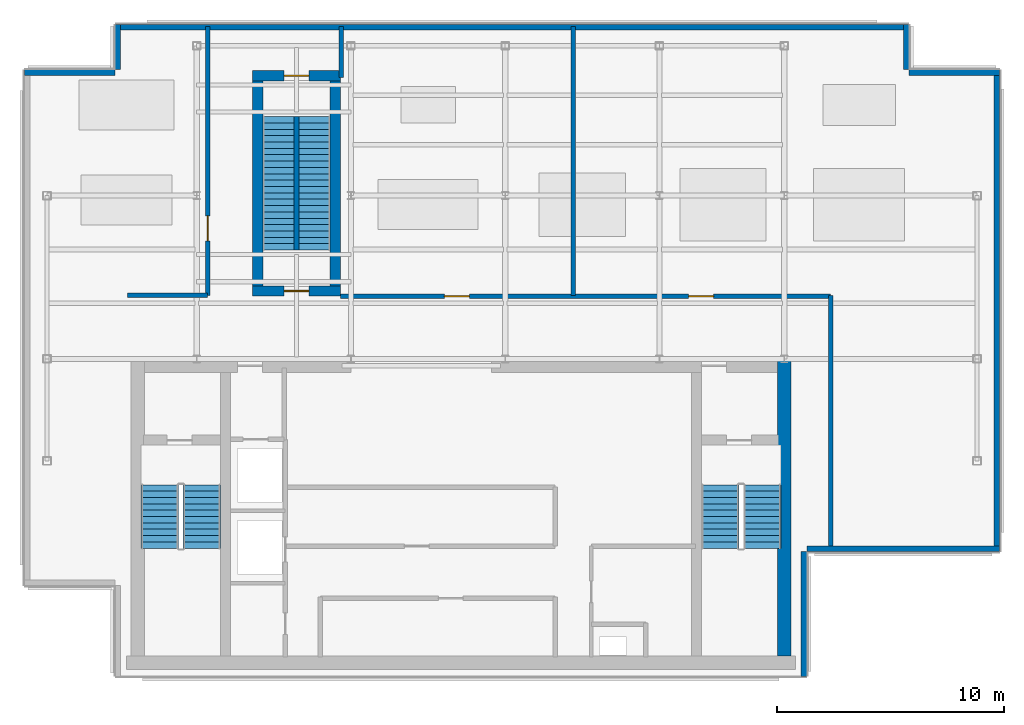
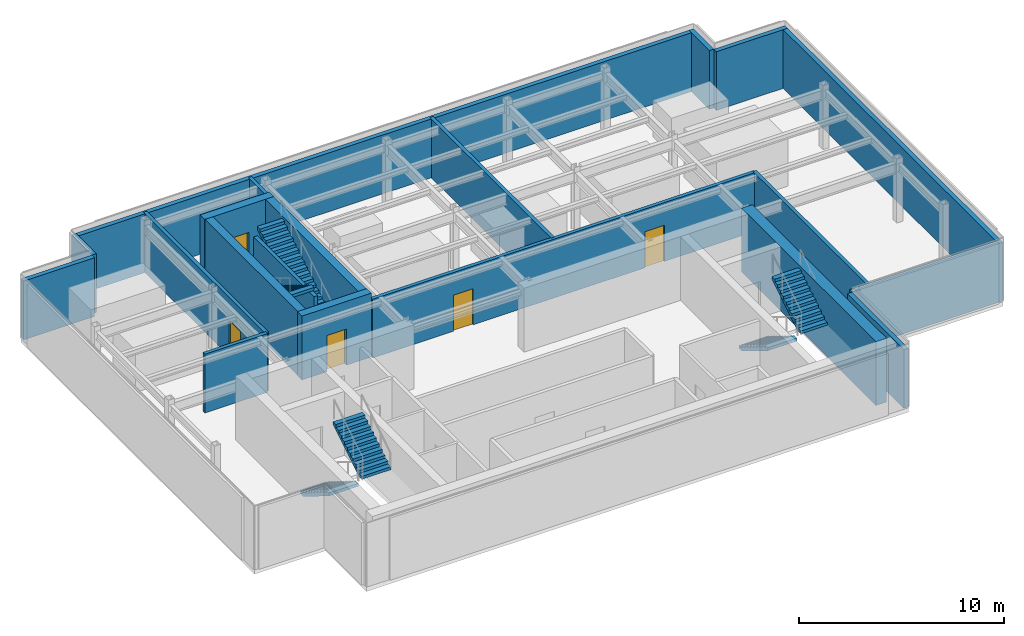
# One storey, part 3 of 7: 20 walls, 6 stair flights, 5 doors, 5 openings, 4 elements without a shape of their own.
"""IFC4 building model written with IfcOpenShell, lengths in metres."""

import ifcopenshell
import ifcopenshell.guid

model = None  # the IFC model being written
_history = None  # IfcOwnerHistory: only IFC2X3 demands one
_inside = {}  # id of a spatial element -> (the spatial element, [elements in it])
_under = {}  # id of a project, library or spatial element -> (it, [spatial elements below it])
_declared = {}  # id of a project -> (the project, [libraries it declares])
_typed = {}  # id of a type object -> (the type object, [elements of that type])
_made_of = {}  # id of a material, layer set ... -> (it, [elements and type objects made of it])


def new_model(schema):
    """Start an empty IFC model of exactly this schema.

    Asked for "IFC4X3", IfcOpenShell would pick the latest addendum, in which some entities
    have other attributes; the version numbers below select the first issue.
    IFC2X3 requires an IfcOwnerHistory on every rooted entity: one is made here for all.
    """
    global model, _history
    if schema == "IFC4X3":
        model = ifcopenshell.file(schema_version=(4, 3, 0, 0))
    else:
        model = ifcopenshell.file(schema=schema)
    _inside.clear()
    _under.clear()
    _declared.clear()
    _typed.clear()
    _made_of.clear()
    _history = None
    if model.schema == "IFC2X3":
        org = make("IfcOrganization", Name="unknown")
        user = make(
            "IfcPersonAndOrganization",
            ThePerson=make("IfcPerson", FamilyName="unknown"),
            TheOrganization=org,
        )
        app = make(
            "IfcApplication",
            ApplicationDeveloper=org,
            Version="unknown",
            ApplicationFullName="unknown",
            ApplicationIdentifier="unknown",
        )
        _history = make(
            "IfcOwnerHistory",
            OwningUser=user,
            OwningApplication=app,
            ChangeAction="ADDED",
            CreationDate=0,
        )
    return model


def make(cls, **values):
    """One entity of the class cls with the attributes given. An attribute that is None is left unset."""
    return model.create_entity(
        cls, **{name: value for name, value in values.items() if value is not None}
    )


def rooted(cls, **values):
    """An entity with a GlobalId (a new one), such as an element, a storey or a relation."""
    return make(cls, GlobalId=ifcopenshell.guid.new(), OwnerHistory=_history, **values)


def si_unit(unit_type, name, prefix=None):
    """IfcSIUnit, for example si_unit("LENGTHUNIT", "METRE", prefix="MILLI")."""
    return make("IfcSIUnit", UnitType=unit_type, Prefix=prefix, Name=name)


def derived_unit(unit_type, elements):
    """IfcDerivedUnit: a product of units, each with its exponent."""
    return make(
        "IfcDerivedUnit",
        Elements=[
            make("IfcDerivedUnitElement", Unit=unit, Exponent=power)
            for unit, power in elements
        ],
        UnitType=unit_type,
    )


def assignment(units):
    """IfcUnitAssignment: the units of a project."""
    return None if units is None else make("IfcUnitAssignment", Units=units)


def point(xyz):
    """IfcCartesianPoint."""
    return None if xyz is None else make("IfcCartesianPoint", Coordinates=xyz)


def direction(xyz):
    """IfcDirection."""
    return None if xyz is None else make("IfcDirection", DirectionRatios=xyz)


def frame(location, z_axis=None, x_axis=None):
    """IfcAxis2Placement3D, a coordinate frame: its origin and axes. An axis left out is left unset."""
    return make(
        "IfcAxis2Placement3D",
        Location=point(location),
        Axis=direction(z_axis),
        RefDirection=direction(x_axis),
    )


def frame_2d(location, x_axis=None):
    """IfcAxis2Placement2D, a coordinate frame in the plane: its origin and x axis."""
    return make(
        "IfcAxis2Placement2D", Location=point(location), RefDirection=direction(x_axis)
    )


def origin():
    """The frame at (0, 0, 0) with its axes left unset."""
    return frame((0.0, 0.0, 0.0))


def place(relative_to, where):
    """IfcLocalPlacement: puts the frame where relative to a parent placement (None: the world)."""
    return make(
        "IfcLocalPlacement", PlacementRelTo=relative_to, RelativePlacement=where
    )


def context(
    kind, dimensions, precision=None, world=None, true_north=None, identifier=None
):
    """IfcGeometricRepresentationContext, for example the 3D "Model" context."""
    return make(
        "IfcGeometricRepresentationContext",
        ContextIdentifier=identifier,
        ContextType=kind,
        CoordinateSpaceDimension=dimensions,
        Precision=precision,
        WorldCoordinateSystem=world,
        TrueNorth=true_north,
    )


def subcontext(parent, identifier, kind, view, scale=None):
    """IfcGeometricRepresentationSubContext, for example "Body" below "Model"."""
    return make(
        "IfcGeometricRepresentationSubContext",
        ContextIdentifier=identifier,
        ContextType=kind,
        ParentContext=parent,
        TargetScale=scale,
        TargetView=view,
    )


def project(units=None, contexts=None):
    """IfcProject with its units and contexts."""
    return rooted(
        "IfcProject",
        Name="project",
        RepresentationContexts=contexts,
        UnitsInContext=assignment(units),
    )


def spatial(cls, under=None, at=None, **own):
    """A site, building, storey or space (cls), placed at a placement, below another one or the project."""
    s = rooted(cls, ObjectPlacement=at, **own)
    if under is not None:
        _under.setdefault(under.id(), (under, []))[1].append(s)
    return s


def polyline(points):
    """IfcPolyline through the points."""
    return make("IfcPolyline", Points=[point(p) for p in points])


def profile(cls, at=None, kind="AREA", **sizes):
    """A parametric profile (cls). Its sizes go by their IFC names, for example OverallWidth=200.0."""
    return make(cls, ProfileType=kind, Position=at, **sizes)


def rectangle(**sizes):
    """IfcRectangleProfileDef."""
    return profile("IfcRectangleProfileDef", **sizes)


def outline(outer, holes=None, kind="AREA"):
    """IfcArbitraryClosedProfileDef: a profile drawn as a closed curve; with holes, ...WithVoids."""
    if holes is None:
        return make("IfcArbitraryClosedProfileDef", ProfileType=kind, OuterCurve=outer)
    return make(
        "IfcArbitraryProfileDefWithVoids",
        ProfileType=kind,
        OuterCurve=outer,
        InnerCurves=holes,
    )


def extrude(swept, where, along, depth):
    """IfcExtrudedAreaSolid: the profile swept, set in the frame where, extruded along a direction by depth."""
    return make(
        "IfcExtrudedAreaSolid",
        SweptArea=swept,
        Position=where,
        ExtrudedDirection=direction(along),
        Depth=depth,
    )


def shape(context_of_items, identifier, shape_type, items):
    """IfcShapeRepresentation: the items that make up one representation, for example the "Body"."""
    return make(
        "IfcShapeRepresentation",
        ContextOfItems=context_of_items,
        RepresentationIdentifier=identifier,
        RepresentationType=shape_type,
        Items=items,
    )


def source(mapping_origin, context_of_items, identifier, shape_type, items):
    """IfcRepresentationMap: a shape defined once, which mapped items show again and again."""
    return make(
        "IfcRepresentationMap",
        MappingOrigin=mapping_origin,
        MappedRepresentation=shape(context_of_items, identifier, shape_type, items),
    )


def transform(
    local_origin,
    x_axis=None,
    y_axis=None,
    z_axis=None,
    scale=None,
    scale2=None,
    scale3=None,
    uniform=True,
):
    """IfcCartesianTransformationOperator3D, or its non-uniform kind. x_axis, y_axis, z_axis: its Axis1, 2, 3."""
    if uniform:
        return make(
            "IfcCartesianTransformationOperator3D",
            Axis1=direction(x_axis),
            Axis2=direction(y_axis),
            LocalOrigin=point(local_origin),
            Scale=scale,
            Axis3=direction(z_axis),
        )
    return make(
        "IfcCartesianTransformationOperator3DnonUniform",
        Axis1=direction(x_axis),
        Axis2=direction(y_axis),
        LocalOrigin=point(local_origin),
        Scale=scale,
        Axis3=direction(z_axis),
        Scale2=scale2,
        Scale3=scale3,
    )


def mapped(mapping_source, mapping_target):
    """IfcMappedItem: shows the shape of a source again, moved by a transform."""
    return make(
        "IfcMappedItem", MappingSource=mapping_source, MappingTarget=mapping_target
    )


def material(Name=None, Category=None):
    """IfcMaterial."""
    return make("IfcMaterial", Name=Name, Category=Category)


def layer(
    of_material, thickness, ventilated=None, Name=None, Category=None, Priority=None
):
    """IfcMaterialLayer: one layer of a wall or slab, of a material (None: an air gap)."""
    return make(
        "IfcMaterialLayer",
        Material=of_material,
        LayerThickness=thickness,
        IsVentilated=ventilated,
        Name=Name,
        Category=Category,
        Priority=Priority,
    )


def layer_set(layers, Name=None):
    """IfcMaterialLayerSet."""
    return make("IfcMaterialLayerSet", MaterialLayers=layers, LayerSetName=Name)


def made_of(thing, what):
    """Note that an element or type object is made of a material, layer set ...; save() writes the relation."""
    if what is not None:
        _made_of.setdefault(what.id(), (what, []))[1].append(thing)
    return thing


def type_object(cls, material=None, **own):
    """A type object (cls), such as IfcWallType, which elements share."""
    return made_of(rooted(cls, **own), material)


def element(
    cls,
    number,
    at=None,
    inside=None,
    cuts=None,
    type_object=None,
    material=None,
    context=None,
    identifier="Body",
    shape_type=None,
    held_by="IfcProductDefinitionShape",
    body=None,
    shapes=None,
    **own,
):
    """One element of the class cls, such as IfcWall. Its Tag is "e" and its number.

    at: its placement. inside: the storey or other place that contains it. cuts: it is an
    opening in that element (IfcRelVoidsElement). A single representation is given by context,
    identifier, shape_type and body (its items); several are given by shapes. held_by: the class
    of the entity that holds the representations. save() writes the other relations.
    """
    e = rooted(cls, Tag="e%d" % number, ObjectPlacement=at, **own)
    if body is not None:
        shapes = [shape(context, identifier, shape_type, body)]
    if shapes is not None:
        e.Representation = make(held_by, Representations=shapes)
    if inside is not None:
        _inside.setdefault(inside.id(), (inside, []))[1].append(e)
    if cuts is not None:
        rooted(
            "IfcRelVoidsElement", RelatingBuildingElement=cuts, RelatedOpeningElement=e
        )
    if type_object is not None:
        _typed.setdefault(type_object.id(), (type_object, []))[1].append(e)
    return made_of(e, material)


def fill(opening, filler):
    """IfcRelFillsElement: the door or window that sits in an opening."""
    return rooted(
        "IfcRelFillsElement",
        RelatingOpeningElement=opening,
        RelatedBuildingElement=filler,
    )


def aggregate(whole, parts):
    """IfcRelAggregates: a whole, such as a stair, and the parts it consists of."""
    return rooted("IfcRelAggregates", RelatingObject=whole, RelatedObjects=parts)


def save(model, path):
    """Write the relations noted so far, then the file.

    IfcRelAggregates (storeys below a building ...), IfcRelContainedInSpatialStructure (elements
    in a storey), IfcRelDefinesByType, IfcRelAssociatesMaterial and IfcRelDeclares: one each for
    every whole, place, type object, material and project.
    """
    for whole, parts in _under.values():
        aggregate(whole, parts)
    for where, things in _inside.values():
        rooted(
            "IfcRelContainedInSpatialStructure",
            RelatedElements=things,
            RelatingStructure=where,
        )
    for kind, things in _typed.values():
        rooted("IfcRelDefinesByType", RelatedObjects=things, RelatingType=kind)
    for what, things in _made_of.values():
        rooted("IfcRelAssociatesMaterial", RelatedObjects=things, RelatingMaterial=what)
    for by, libraries in _declared.values():
        rooted("IfcRelDeclares", RelatingContext=by, RelatedDefinitions=libraries)
    model.write(path)


model = new_model("IFC4")

# Units and contexts
model_context = context("Model", 3, precision=1e-05, world=origin(), true_north=direction((0.0, 1.0)))
body_context = subcontext(model_context, "Body", "Model", "MODEL_VIEW")
ifc_project = project(units=[si_unit("LENGTHUNIT", "METRE"), si_unit("AREAUNIT", "SQUARE_METRE"), si_unit("VOLUMEUNIT", "CUBIC_METRE"), si_unit("PLANEANGLEUNIT", "RADIAN"), si_unit("MASSUNIT", "GRAM", prefix="KILO"), derived_unit("THERMALTRANSMITTANCEUNIT", [(si_unit("POWERUNIT", "WATT"), 1), (si_unit("LENGTHUNIT", "METRE"), -2), (si_unit("THERMODYNAMICTEMPERATUREUNIT", "KELVIN"), -1)])], contexts=[model_context])

# Site, building, storey
site_placement = place(None, origin())
site = spatial("IfcSite", under=ifc_project, at=site_placement, CompositionType="ELEMENT")
building_placement = place(site_placement, origin())
building = spatial("IfcBuilding", under=site, at=building_placement, Name="Skarnbrae Concourse Arena and Tower", CompositionType="ELEMENT")
storey_placement = place(building_placement, frame((0.0, 0.0, 296.050048828125)))
storey = spatial("IfcBuildingStorey", under=building, at=storey_placement, Name="L77", CompositionType="ELEMENT", Elevation=296.050048828125)

# Walls
ifc_material_1 = material(Name="Concrete 50 MPa (C50/60)", Category="concrete")
ifc_layer_1 = layer(ifc_material_1, 0.60009765625)
ifc_layer_set_1 = layer_set([ifc_layer_1], Name="Concrete 50 MPa (C50/60)")
wall_type_1 = type_object("IfcWallType", Name="WALL-CORE-600-C50", PredefinedType="SHEAR", material=ifc_layer_set_1)
shared_shape_1 = source(origin(), body_context, "Body", "SweptSolid", [
    extrude(rectangle(XDim=13.10009765625, YDim=0.60009765625, at=frame_2d((6.550048828125, 0.0))), origin(), (0.0, 0.0, 1.0), 3.800048828125),
])
wall_1_placement = place(storey_placement, frame((33.5, 0.89990234375, 0.0), z_axis=(0.0, 0.0, 1.0), x_axis=(0.0, 1.0, 0.0)))
element("IfcWall", 1, at=wall_1_placement, inside=storey, type_object=wall_type_1, Name="L77 Rear core shear wall CW-E", PredefinedType="SHEAR", context=body_context, shape_type="MappedRepresentation", body=[
    mapped(shared_shape_1, transform((0.0, 0.0, 0.0))),
])
ifc_material_2 = material(Name="Precast concrete 40 MPa (C40/50)", Category="concrete")
ifc_layer_2 = layer(ifc_material_2, 0.25)
ifc_layer_set_2 = layer_set([ifc_layer_2], Name="Precast concrete 40 MPa (C40/50)")
wall_type_2 = type_object("IfcWallType", Name="WALL-CROWN-BRONZE-250", PredefinedType="STANDARD", material=ifc_layer_set_2)
shared_shape_2 = source(origin(), body_context, "Body", "SweptSolid", [
    extrude(rectangle(XDim=5.5, YDim=0.25, at=frame_2d((2.75, 0.0))), origin(), (0.0, 0.0, 1.0), 3.5),
])
wall_2_placement = place(storey_placement, frame((34.375, 0.0, 0.0), z_axis=(0.0, 0.0, 1.0), x_axis=(0.0, 1.0, 0.0)))
element("IfcWall", 2, at=wall_2_placement, inside=storey, type_object=wall_type_2, Name="L77 Crown enclosure wall 02", PredefinedType="STANDARD", context=body_context, shape_type="MappedRepresentation", body=[
    mapped(shared_shape_2, transform((0.0, 0.0, 0.0))),
])
shared_shape_3 = source(origin(), body_context, "Body", "SweptSolid", [
    extrude(rectangle(XDim=8.5, YDim=0.25, at=frame_2d((4.25, 0.0))), origin(), (0.0, 0.0, 1.0), 3.5),
])
wall_3_placement = place(storey_placement, frame((34.5, 5.625, 0.0), z_axis=(0.0, 0.0, 1.0), x_axis=(1.0, 0.0, 0.0)))
element("IfcWall", 3, at=wall_3_placement, inside=storey, type_object=wall_type_2, Name="L77 Crown enclosure wall 03", PredefinedType="STANDARD", context=body_context, shape_type="MappedRepresentation", body=[
    mapped(shared_shape_3, transform((0.0, 0.0, 0.0))),
])
shared_shape_4 = source(origin(), body_context, "Body", "SweptSolid", [
    extrude(rectangle(XDim=21.25, YDim=0.25, at=frame_2d((10.625, 0.0))), origin(), (0.0, 0.0, 1.0), 3.5),
])
wall_4_placement = place(storey_placement, frame((42.875, 5.5, 0.0), z_axis=(0.0, 0.0, 1.0), x_axis=(0.0, 1.0, 0.0)))
element("IfcWall", 4, at=wall_4_placement, inside=storey, type_object=wall_type_2, Name="L77 Crown enclosure wall 04", PredefinedType="STANDARD", context=body_context, shape_type="MappedRepresentation", body=[
    mapped(shared_shape_4, transform((0.0, 0.0, 0.0))),
])
shared_shape_5 = source(origin(), body_context, "Body", "SweptSolid", [
    extrude(rectangle(XDim=4.0, YDim=0.25, at=frame_2d((2.0, 0.0))), origin(), (0.0, 0.0, 1.0), 3.5),
])
for number, where, z_axis, x_axis, name in (
    (5, (43.0, 26.625, 0.0), (0.0, 0.0, 1.0), (-1.0, 0.0, 0.0), "L77 Crown enclosure wall 05"),
    (6, (4.0, 26.625, 0.0), (0.0, 0.0, 1.0), (-1.0, 0.0, 0.0), "L77 Crown enclosure wall 09"),
):
    element("IfcWall", number, at=place(storey_placement, frame(where, z_axis=z_axis, x_axis=x_axis)), inside=storey, type_object=wall_type_2, Name=name, PredefinedType="STANDARD", context=body_context, shape_type="MappedRepresentation", body=[
        mapped(shared_shape_5, transform((0.0, 0.0, 0.0))),
    ])
shared_shape_6 = source(origin(), body_context, "Body", "SweptSolid", [
    extrude(rectangle(XDim=2.0, YDim=0.25, at=frame_2d((1.0, 0.0))), origin(), (0.0, 0.0, 1.0), 3.5),
])
for number, where, z_axis, x_axis, name in (
    (7, (38.875, 26.75, 0.0), (0.0, 0.0, 1.0), (0.0, 1.0, 0.0), "L77 Crown enclosure wall 06"),
    (8, (4.125, 28.75, 0.0), (0.0, 0.0, 1.0), (0.0, -1.0, 0.0), "L77 Crown enclosure wall 08"),
):
    element("IfcWall", number, at=place(storey_placement, frame(where, z_axis=z_axis, x_axis=x_axis)), inside=storey, type_object=wall_type_2, Name=name, PredefinedType="STANDARD", context=body_context, shape_type="MappedRepresentation", body=[
        mapped(shared_shape_6, transform((0.0, 0.0, 0.0))),
    ])
shared_shape_7 = source(origin(), body_context, "Body", "SweptSolid", [
    extrude(rectangle(XDim=35.0, YDim=0.25, at=frame_2d((17.5, 0.0))), origin(), (0.0, 0.0, 1.0), 3.5),
])
wall_5_placement = place(storey_placement, frame((39.0, 28.625, 0.0), z_axis=(0.0, 0.0, 1.0), x_axis=(-1.0, 0.0, 0.0)))
element("IfcWall", 9, at=wall_5_placement, inside=storey, type_object=wall_type_2, Name="L77 Crown enclosure wall 07", PredefinedType="STANDARD", context=body_context, shape_type="MappedRepresentation", body=[
    mapped(shared_shape_7, transform((0.0, 0.0, 0.0))),
])

# Wall, opening, door
ifc_layer_3 = layer(ifc_material_1, 0.449951171875)
ifc_layer_set_3 = layer_set([ifc_layer_3], Name="Concrete 50 MPa (C50/60)")
wall_type_3 = type_object("IfcWallType", Name="WALL-CORE-450-C50", PredefinedType="SHEAR", material=ifc_layer_set_3)
shared_shape_8 = source(origin(), body_context, "Body", "SweptSolid", [
    extrude(rectangle(XDim=3.89990234375, YDim=0.449951171875, at=frame_2d((1.949951171875, 0.0))), origin(), (0.0, 0.0, 1.0), 3.800048828125),
])
wall_6_placement = place(storey_placement, frame((10.050048828125, 16.9951171875, 0.0), z_axis=(0.0, 0.0, 1.0), x_axis=(1.0, 0.0, 0.0)))
wall_6 = element("IfcWall", 10, at=wall_6_placement, inside=storey, type_object=wall_type_3, Name="L77 Protected stair shaft wall ST-CRWN-S", PredefinedType="SHEAR", context=body_context, shape_type="MappedRepresentation", body=[
    mapped(shared_shape_8, transform((0.0, 0.0, 0.0))),
])
opening_1_placement = place(wall_6_placement, frame((1.39990234375, 0.0, 0.0)))
opening_1 = element("IfcOpeningElement", 11, at=opening_1_placement, cuts=wall_6, Name="Opening DT-03", PredefinedType="OPENING", context=body_context, shape_type="SweptSolid", body=[
    extrude(rectangle(XDim=1.10009765625, YDim=2.14990234375, at=frame_2d((0.550048828125, 1.074951171875))), frame((0.0, 0.23486328125, 0.0), z_axis=(0.0, -1.0, 0.0), x_axis=(1.0, 0.0, 0.0)), (0.0, 0.0, 1.0), 0.469970703125),
])
ifc_material_3 = material(Name="Steel CSA G40.21 350W", Category="steel")
door_type = type_object("IfcDoorType", Name="DOOR-FIRE-1100-90M", OperationType="NOTDEFINED", PredefinedType="DOOR", material=ifc_material_3)
shared_shape_9 = source(origin(), body_context, "Body", "SweptSolid", [
    extrude(rectangle(XDim=1.10009765625, YDim=2.14990234375, at=frame_2d((0.550048828125, 1.074951171875))), frame((0.0, 0.02490234375, 0.0), z_axis=(0.0, -1.0, 0.0), x_axis=(1.0, 0.0, 0.0)), (0.0, 0.0, 1.0), 0.050048828125),
])
door_1_placement = place(opening_1_placement, origin())
door_1 = element("IfcDoor", 12, at=door_1_placement, inside=storey, type_object=door_type, Name="D-2321 Exit Stair ST-CRWN Door", OperationType="SINGLE_SWING_RIGHT", OverallHeight=2.14990234375, OverallWidth=1.10009765625, PredefinedType="DOOR", context=body_context, shape_type="MappedRepresentation", body=[
    mapped(shared_shape_9, transform((0.0, 0.0, 0.0))),
])
fill(opening_1, door_1)

wall_7_placement = place(storey_placement, frame((10.050048828125, 26.485107421875, 0.0), z_axis=(0.0, 0.0, 1.0), x_axis=(1.0, 0.0, 0.0)))
wall_7 = element("IfcWall", 13, at=wall_7_placement, inside=storey, type_object=wall_type_3, Name="L77 Protected stair shaft wall ST-CRWN-N", PredefinedType="SHEAR", context=body_context, shape_type="MappedRepresentation", body=[
    mapped(shared_shape_8, transform((0.0, 0.0, 0.0))),
])
opening_2_placement = place(wall_7_placement, frame((1.39990234375, 0.0, 0.0)))
opening_2 = element("IfcOpeningElement", 14, at=opening_2_placement, cuts=wall_7, Name="Opening DT-03", PredefinedType="OPENING", context=body_context, shape_type="SweptSolid", body=[
    extrude(rectangle(XDim=1.10009765625, YDim=2.14990234375, at=frame_2d((0.550048828125, 1.074951171875))), frame((0.0, 0.23486328125, 0.0), z_axis=(0.0, -1.0, 0.0), x_axis=(1.0, 0.0, 0.0)), (0.0, 0.0, 1.0), 0.469970703125),
])
door_2_placement = place(opening_2_placement, frame((1.10009765625, 0.0, 0.0), z_axis=(0.0, 0.0, 1.0), x_axis=(-1.0, 0.0, 0.0)))
door_2 = element("IfcDoor", 15, at=door_2_placement, inside=storey, type_object=door_type, Name="D-2322 Exit Stair ST-CRWN North Door", OperationType="SINGLE_SWING_RIGHT", OverallHeight=2.14990234375, OverallWidth=1.10009765625, PredefinedType="DOOR", context=body_context, shape_type="MappedRepresentation", body=[
    mapped(shared_shape_9, transform((0.0, 0.0, 0.0))),
])
fill(opening_2, door_2)

# Walls
shared_shape_10 = source(origin(), body_context, "Body", "SweptSolid", [
    extrude(rectangle(XDim=9.080078125, YDim=0.449951171875, at=frame_2d((4.5400390625, 0.0))), origin(), (0.0, 0.0, 1.0), 3.800048828125),
])
for number, where, z_axis, x_axis, name in (
    (16, (10.294921875, 17.199951171875, 0.0), (0.0, 0.0, 1.0), (0.0, 1.0, 0.0), "L77 Protected stair shaft wall ST-CRWN-W"),
    (17, (13.705078125, 17.199951171875, 0.0), (0.0, 0.0, 1.0), (0.0, 1.0, 0.0), "L77 Protected stair shaft wall ST-CRWN-E"),
):
    element("IfcWall", number, at=place(storey_placement, frame(where, z_axis=z_axis, x_axis=x_axis)), inside=storey, type_object=wall_type_3, Name=name, PredefinedType="SHEAR", context=body_context, shape_type="MappedRepresentation", body=[
        mapped(shared_shape_10, transform((0.0, 0.0, 0.0))),
    ])
ifc_material_4 = material(Name="Gypsum board on cold-formed steel studs", Category="steel")
ifc_layer_4 = layer(ifc_material_4, 0.199951171875)
ifc_layer_set_4 = layer_set([ifc_layer_4], Name="Gypsum board on cold-formed steel studs")
wall_type_4 = type_object("IfcWallType", Name="WALL-PART-200-2HR", PredefinedType="PARTITIONING", material=ifc_layer_set_4)
shared_shape_11 = source(origin(), body_context, "Body", "SweptSolid", [
    extrude(rectangle(XDim=5.8798828125, YDim=0.199951171875, at=frame_2d((2.93994140625, 0.0))), origin(), (0.0, 0.0, 1.0), 3.079833984375),
])
wall_8_placement = place(storey_placement, frame((12.0, 18.800048828125, 0.0), z_axis=(0.0, 0.0, 1.0), x_axis=(0.0, 1.0, 0.0)))
element("IfcWall", 18, at=wall_8_placement, inside=storey, type_object=wall_type_4, Name="L77 Scissor stair dividing wall ST-CRWN", PredefinedType="PARTITIONING", context=body_context, shape_type="MappedRepresentation", body=[
    mapped(shared_shape_11, transform((0.0, 0.0, 0.0))),
])

# Wall, opening, door
shared_shape_12 = source(origin(), body_context, "Body", "SweptSolid", [
    extrude(rectangle(XDim=11.849853515625, YDim=0.199951171875, at=frame_2d((5.9248046875, 0.0))), origin(), (0.0, 0.0, 1.0), 3.5),
])
wall_9_placement = place(storey_placement, frame((8.080078125, 16.800048828125, 0.0), z_axis=(0.0, 0.0, 1.0), x_axis=(0.0, 1.0, 0.0)))
wall_9 = element("IfcWall", 19, at=wall_9_placement, inside=storey, type_object=wall_type_4, Name="L77 Interior partition wall W-L77-CW1", PredefinedType="PARTITIONING", context=body_context, shape_type="MappedRepresentation", body=[
    mapped(shared_shape_12, transform((0.0, 0.0, 0.0))),
])
opening_3_placement = place(wall_9_placement, frame((2.39990234375, 0.0, 0.0)))
opening_3 = element("IfcOpeningElement", 20, at=opening_3_placement, cuts=wall_9, Name="Opening DT-03", PredefinedType="OPENING", context=body_context, shape_type="SweptSolid", body=[
    extrude(rectangle(XDim=1.10009765625, YDim=2.14990234375, at=frame_2d((0.550048828125, 1.074951171875))), frame((0.0, 0.10986328125, 0.0), z_axis=(0.0, -1.0, 0.0), x_axis=(1.0, 0.0, 0.0)), (0.0, 0.0, 1.0), 0.219970703125),
])
door_3_placement = place(opening_3_placement, frame((1.10009765625, 0.0, 0.0), z_axis=(0.0, 0.0, 1.0), x_axis=(-1.0, 0.0, 0.0)))
door_3 = element("IfcDoor", 21, at=door_3_placement, inside=storey, type_object=door_type, Name="D-2318 L77 West Plant Door", OperationType="SINGLE_SWING_LEFT", OverallHeight=2.14990234375, OverallWidth=1.10009765625, PredefinedType="DOOR", context=body_context, shape_type="MappedRepresentation", body=[
    mapped(shared_shape_9, transform((0.0, 0.0, 0.0))),
])
fill(opening_3, door_3)

# Walls
wall_10_placement = place(storey_placement, frame((24.199951171875, 16.800048828125, 0.0), z_axis=(0.0, 0.0, 1.0), x_axis=(0.0, 1.0, 0.0)))
element("IfcWall", 22, at=wall_10_placement, inside=storey, type_object=wall_type_4, Name="L77 Interior partition wall W-L77-CM-242", PredefinedType="PARTITIONING", context=body_context, shape_type="MappedRepresentation", body=[
    mapped(shared_shape_12, transform((0.0, 0.0, 0.0))),
])
shared_shape_13 = source(origin(), body_context, "Body", "SweptSolid", [
    extrude(rectangle(XDim=3.530029296875, YDim=0.199951171875, at=frame_2d((1.76513671875, 0.0))), origin(), (0.0, 0.0, 1.0), 3.5),
])
wall_11_placement = place(storey_placement, frame((4.550048828125, 16.800048828125, 0.0), z_axis=(0.0, 0.0, 1.0), x_axis=(1.0, 0.0, 0.0)))
element("IfcWall", 23, at=wall_11_placement, inside=storey, type_object=wall_type_4, Name="L77 Interior partition wall W-L77-CW2", PredefinedType="PARTITIONING", context=body_context, shape_type="MappedRepresentation", body=[
    mapped(shared_shape_13, transform((0.0, 0.0, 0.0))),
])

# Wall, openings, doors
shared_shape_14 = source(origin(), body_context, "Body", "SweptSolid", [
    extrude(rectangle(XDim=21.60009765625, YDim=0.199951171875, at=frame_2d((10.800048828125, 0.0))), origin(), (0.0, 0.0, 1.0), 3.5),
])
wall_12_placement = place(storey_placement, frame((13.949951171875, 16.760009765625, 0.0), z_axis=(0.0, 0.0, 1.0), x_axis=(1.0, 0.0, 0.0)))
wall_12 = element("IfcWall", 24, at=wall_12_placement, inside=storey, type_object=wall_type_4, Name="L77 Interior partition wall W-L77-CE1", PredefinedType="PARTITIONING", context=body_context, shape_type="MappedRepresentation", body=[
    mapped(shared_shape_14, transform((0.0, 0.0, 0.0))),
])
opening_4_placement = place(wall_12_placement, frame((4.570068359375, 0.0, 0.0)))
opening_4 = element("IfcOpeningElement", 25, at=opening_4_placement, cuts=wall_12, Name="Opening DT-03", PredefinedType="OPENING", context=body_context, shape_type="SweptSolid", body=[
    extrude(rectangle(XDim=1.10009765625, YDim=2.14990234375, at=frame_2d((0.550048828125, 1.074951171875))), frame((0.0, 0.10986328125, 0.0), z_axis=(0.0, -1.0, 0.0), x_axis=(1.0, 0.0, 0.0)), (0.0, 0.0, 1.0), 0.219970703125),
])
opening_5_placement = place(wall_12_placement, frame((15.340087890625, 0.0, 0.0)))
opening_5 = element("IfcOpeningElement", 26, at=opening_5_placement, cuts=wall_12, Name="Opening DT-03", PredefinedType="OPENING", context=body_context, shape_type="SweptSolid", body=[
    extrude(rectangle(XDim=1.10009765625, YDim=2.14990234375, at=frame_2d((0.550048828125, 1.074951171875))), frame((0.0, 0.10986328125, 0.0), z_axis=(0.0, -1.0, 0.0), x_axis=(1.0, 0.0, 0.0)), (0.0, 0.0, 1.0), 0.219970703125),
])
door_4_placement = place(opening_4_placement, origin())
door_4 = element("IfcDoor", 27, at=door_4_placement, inside=storey, type_object=door_type, Name="D-2319 L77 Crown Water Tank Mechanical Plant Door", OperationType="SINGLE_SWING_LEFT", OverallHeight=2.14990234375, OverallWidth=1.10009765625, PredefinedType="DOOR", context=body_context, shape_type="MappedRepresentation", body=[
    mapped(shared_shape_9, transform((0.0, 0.0, 0.0))),
])
fill(opening_4, door_4)
door_5_placement = place(opening_5_placement, origin())
door_5 = element("IfcDoor", 28, at=door_5_placement, inside=storey, type_object=door_type, Name="D-2320 L77 Crown Cooling Tower Mechanical Plant Door", OperationType="SINGLE_SWING_RIGHT", OverallHeight=2.14990234375, OverallWidth=1.10009765625, PredefinedType="DOOR", context=body_context, shape_type="MappedRepresentation", body=[
    mapped(shared_shape_9, transform((0.0, 0.0, 0.0))),
])
fill(opening_5, door_5)

# Walls
shared_shape_15 = source(origin(), body_context, "Body", "SweptSolid", [
    extrude(rectangle(XDim=2.25, YDim=0.199951171875, at=frame_2d((1.125, 0.0))), origin(), (0.0, 0.0, 1.0), 3.5),
])
wall_13_placement = place(storey_placement, frame((13.97998046875, 26.39990234375, 0.0), z_axis=(0.0, 0.0, 1.0), x_axis=(0.0, 1.0, 0.0)))
element("IfcWall", 29, at=wall_13_placement, inside=storey, type_object=wall_type_4, Name="L77 Interior partition wall W-L77-DN", PredefinedType="PARTITIONING", context=body_context, shape_type="MappedRepresentation", body=[
    mapped(shared_shape_15, transform((0.0, 0.0, 0.0))),
])
shared_shape_16 = source(origin(), body_context, "Body", "SweptSolid", [
    extrude(rectangle(XDim=11.25, YDim=0.199951171875, at=frame_2d((5.625, 0.0))), origin(), (0.0, 0.0, 1.0), 3.5),
])
wall_14_placement = place(storey_placement, frame((35.550048828125, 5.550048828125, 0.0), z_axis=(0.0, 0.0, 1.0), x_axis=(0.0, 1.0, 0.0)))
element("IfcWall", 30, at=wall_14_placement, inside=storey, type_object=wall_type_4, Name="L77 Interior partition wall W-L77-CE2", PredefinedType="PARTITIONING", context=body_context, shape_type="MappedRepresentation", body=[
    mapped(shared_shape_16, transform((0.0, 0.0, 0.0))),
])

# Stair, stair flights
ifc_material_5 = material(Name="Concrete 40 MPa (C40/50)", Category="concrete")
stair_type_1 = type_object("IfcStairType", Name="STAIR-DOGLEG-1650", PredefinedType="HALF_TURN_STAIR", material=ifc_material_5)
stair_1_placement = place(storey_placement, origin())
stair_1 = element("IfcStair", 31, at=stair_1_placement, inside=storey, type_object=stair_type_1, Name="L77 Protected Exit Stair ST-1", PredefinedType="HALF_TURN_STAIR")
stair_flight_type_1 = type_object("IfcStairFlightType", Name="FLIGHT-STRAIGHT-1650", PredefinedType="STRAIGHT", material=ifc_material_5)
shared_shape_17 = source(origin(), body_context, "Body", "SweptSolid", [
    extrude(outline(polyline([(0.0, 0.0), (0.0, 0.172607421875), (0.280029296875, 0.172607421875), (0.280029296875, 0.345458984375), (0.56005859375, 0.345458984375), (0.56005859375, 0.51806640625), (0.840087890625, 0.51806640625), (0.840087890625, 0.69091796875), (1.1201171875, 0.69091796875), (1.1201171875, 0.863525390625), (1.39990234375, 0.863525390625), (1.39990234375, 1.036376953125), (1.679931640625, 1.036376953125), (1.679931640625, 1.208984375), (1.9599609375, 1.208984375), (1.9599609375, 1.3818359375), (2.239990234375, 1.3818359375), (2.239990234375, 1.554443359375), (2.52001953125, 1.554443359375), (2.52001953125, 1.727294921875), (2.800048828125, 1.727294921875), (2.800048828125, 1.89990234375), (2.800048828125, 1.551025390625), (0.285400390625, 0.0), (0.0, 0.0)])), frame((0.0, 0.824951171875, 0.0), z_axis=(0.0, -1.0, 0.0), x_axis=(1.0, 0.0, 0.0)), (0.0, 0.0, 1.0), 1.64990234375),
])
stair_flight_1_placement = place(storey_placement, frame((5.97509765625, 8.449951171875, 0.0), z_axis=(0.0, 0.0, 1.0), x_axis=(0.0, -1.0, 0.0)))
stair_flight_1 = element("IfcStairFlight", 32, at=stair_flight_1_placement, type_object=stair_flight_type_1, Name="ST-1 flight 1", NumberOfRisers=11, NumberOfTreads=10, PredefinedType="STRAIGHT", RiserHeight=0.172727273, TreadLength=0.28, context=body_context, shape_type="MappedRepresentation", body=[
    mapped(shared_shape_17, transform((0.0, 0.0, 0.0))),
])
stair_flight_2_placement = place(storey_placement, frame((7.824951171875, 5.64990234375, 1.89990234375), z_axis=(0.0, 0.0, 1.0), x_axis=(0.0, 1.0, 0.0)))
stair_flight_2 = element("IfcStairFlight", 33, at=stair_flight_2_placement, type_object=stair_flight_type_1, Name="ST-1 flight 2", NumberOfRisers=11, NumberOfTreads=10, PredefinedType="STRAIGHT", RiserHeight=0.172727273, TreadLength=0.28, context=body_context, shape_type="MappedRepresentation", body=[
    mapped(shared_shape_17, transform((0.0, 0.0, 0.0))),
])
aggregate(stair_1, [stair_flight_1, stair_flight_2])

stair_2_placement = place(storey_placement, origin())
stair_2 = element("IfcStair", 34, at=stair_2_placement, inside=storey, type_object=stair_type_1, Name="L77 Protected Exit Stair ST-2", PredefinedType="HALF_TURN_STAIR")
stair_flight_3_placement = place(storey_placement, frame((30.675048828125, 8.449951171875, 0.0), z_axis=(0.0, 0.0, 1.0), x_axis=(0.0, -1.0, 0.0)))
stair_flight_3 = element("IfcStairFlight", 35, at=stair_flight_3_placement, type_object=stair_flight_type_1, Name="ST-2 flight 1", NumberOfRisers=11, NumberOfTreads=10, PredefinedType="STRAIGHT", RiserHeight=0.172727273, TreadLength=0.28, context=body_context, shape_type="MappedRepresentation", body=[
    mapped(shared_shape_17, transform((0.0, 0.0, 0.0))),
])
stair_flight_4_placement = place(storey_placement, frame((32.52490234375, 5.64990234375, 1.89990234375), z_axis=(0.0, 0.0, 1.0), x_axis=(0.0, 1.0, 0.0)))
stair_flight_4 = element("IfcStairFlight", 36, at=stair_flight_4_placement, type_object=stair_flight_type_1, Name="ST-2 flight 2", NumberOfRisers=11, NumberOfTreads=10, PredefinedType="STRAIGHT", RiserHeight=0.172727273, TreadLength=0.28, context=body_context, shape_type="MappedRepresentation", body=[
    mapped(shared_shape_17, transform((0.0, 0.0, 0.0))),
])
aggregate(stair_2, [stair_flight_3, stair_flight_4])

# Stair, stair flight
stair_type_2 = type_object("IfcStairType", Name="STAIR-SCISSOR-1400", PredefinedType="USERDEFINED", material=ifc_material_5)
stair_3_placement = place(storey_placement, origin())
stair_3 = element("IfcStair", 37, at=stair_3_placement, inside=storey, type_object=stair_type_2, Name="L77 Crown Service Scissor Stair B", ObjectType="SCISSOR", PredefinedType="USERDEFINED")
stair_flight_type_2 = type_object("IfcStairFlightType", Name="FLIGHT-STRAIGHT-1400", PredefinedType="STRAIGHT", material=ifc_material_5)
shared_shape_18 = source(origin(), body_context, "Body", "SweptSolid", [
    extrude(outline(polyline([(0.0, 0.0), (0.0, 0.172607421875), (0.280029296875, 0.172607421875), (0.280029296875, 0.345458984375), (0.56005859375, 0.345458984375), (0.56005859375, 0.51806640625), (0.840087890625, 0.51806640625), (0.840087890625, 0.69091796875), (1.1201171875, 0.69091796875), (1.1201171875, 0.863525390625), (1.39990234375, 0.863525390625), (1.39990234375, 1.036376953125), (1.679931640625, 1.036376953125), (1.679931640625, 1.208984375), (1.9599609375, 1.208984375), (1.9599609375, 1.3818359375), (2.239990234375, 1.3818359375), (2.239990234375, 1.554443359375), (2.52001953125, 1.554443359375), (2.52001953125, 1.727294921875), (2.800048828125, 1.727294921875), (2.800048828125, 1.89990234375), (3.080078125, 1.89990234375), (3.080078125, 2.07275390625), (3.360107421875, 2.07275390625), (3.360107421875, 2.245361328125), (3.639892578125, 2.245361328125), (3.639892578125, 2.418212890625), (3.919921875, 2.418212890625), (3.919921875, 2.5908203125), (4.199951171875, 2.5908203125), (4.199951171875, 2.763671875), (4.47998046875, 2.763671875), (4.47998046875, 2.936279296875), (4.760009765625, 2.936279296875), (4.760009765625, 3.109130859375), (5.0400390625, 3.109130859375), (5.0400390625, 3.28173828125), (5.320068359375, 3.28173828125), (5.320068359375, 3.45458984375), (5.60009765625, 3.45458984375), (5.60009765625, 3.627197265625), (5.8798828125, 3.627197265625), (5.8798828125, 3.800048828125), (5.8798828125, 3.451171875), (0.285400390625, 0.0), (0.0, 0.0)])), frame((0.0, 0.699951171875, 0.0), z_axis=(0.0, -1.0, 0.0), x_axis=(1.0, 0.0, 0.0)), (0.0, 0.0, 1.0), 1.39990234375),
])
stair_flight_5_placement = place(storey_placement, frame((12.800048828125, 18.800048828125, 0.0), z_axis=(0.0, 0.0, 1.0), x_axis=(0.0, 1.0, 0.0)))
stair_flight_5 = element("IfcStairFlight", 38, at=stair_flight_5_placement, type_object=stair_flight_type_2, Name="ST-CRWNB flight 1", NumberOfRisers=22, NumberOfTreads=21, PredefinedType="STRAIGHT", RiserHeight=0.172727273, TreadLength=0.28, context=body_context, shape_type="MappedRepresentation", body=[
    mapped(shared_shape_18, transform((0.0, 0.0, 0.0))),
])
aggregate(stair_3, [stair_flight_5])

stair_4_placement = place(storey_placement, origin())
stair_4 = element("IfcStair", 39, at=stair_4_placement, inside=storey, type_object=stair_type_2, Name="L77 Crown Service Scissor Stair A", ObjectType="SCISSOR", PredefinedType="USERDEFINED")
stair_flight_6_placement = place(storey_placement, frame((11.199951171875, 24.679931640625, 0.0), z_axis=(0.0, 0.0, 1.0), x_axis=(0.0, -1.0, 0.0)))
stair_flight_6 = element("IfcStairFlight", 40, at=stair_flight_6_placement, type_object=stair_flight_type_2, Name="ST-CRWNA flight 1", NumberOfRisers=22, NumberOfTreads=21, PredefinedType="STRAIGHT", RiserHeight=0.172727273, TreadLength=0.28, context=body_context, shape_type="MappedRepresentation", body=[
    mapped(shared_shape_18, transform((0.0, 0.0, 0.0))),
])
aggregate(stair_4, [stair_flight_6])

save(model, "model.ifc")
